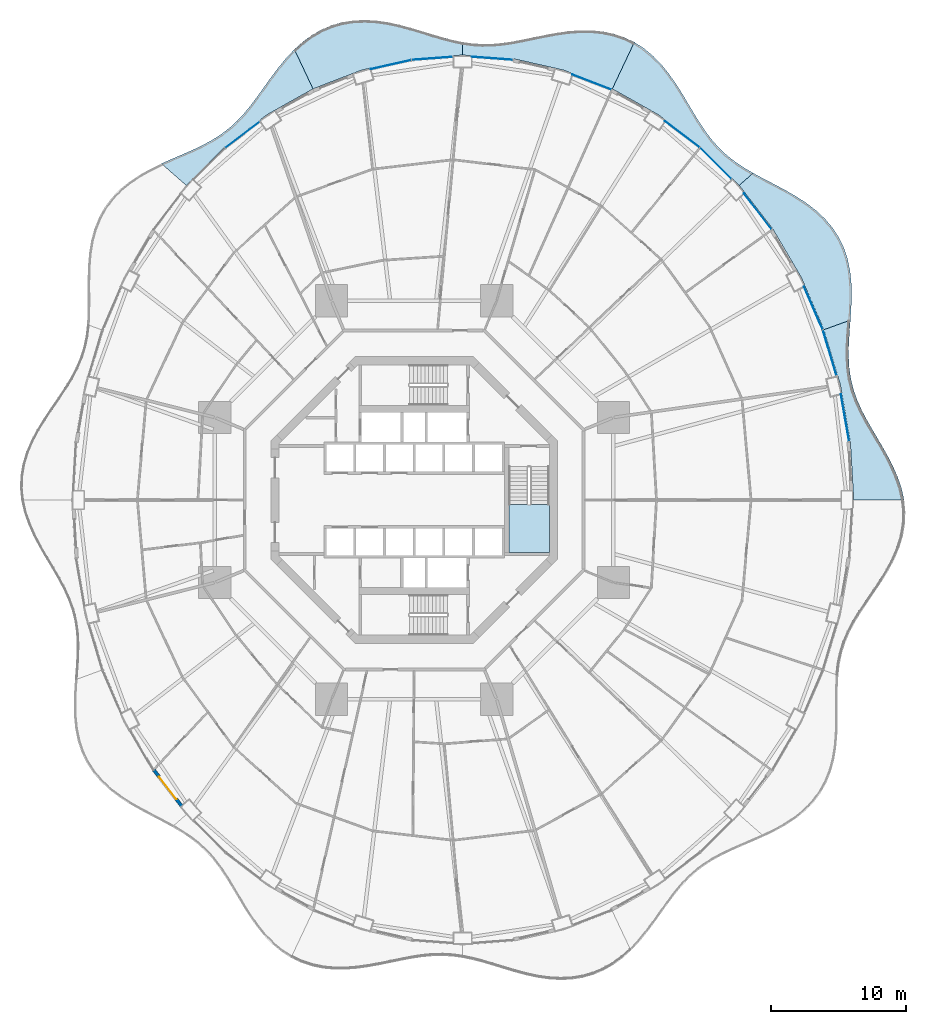
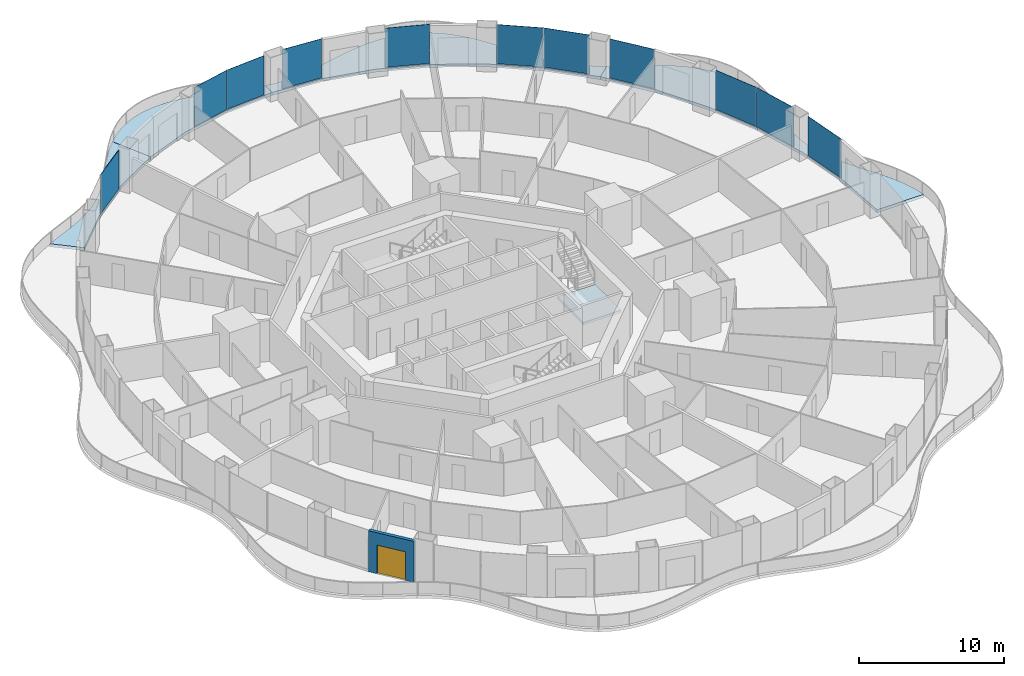
# One storey, part 13 of 23: 11 plates, 7 slabs, 1 door, 1 wall, 1 opening, 12 elements without a shape of their own.
"""IFC4 building model written with IfcOpenShell, lengths in metres."""

from ifc_helpers import new_model, si_unit, direction, frame, frame_2d, origin, origin_2d, place, context, subcontext, project, spatial, polyline, rectangle, outline, extrude, material, layer, layer_set, type_object, element, fill, aggregate, save


model = new_model("IFC4")

# Units and contexts
model_context = context("Model", 3, precision=1e-05, world=origin(), true_north=direction((0.0, 1.0)))
body_context = subcontext(model_context, "Body", "Model", "MODEL_VIEW")
ifc_project = project(units=[si_unit("LENGTHUNIT", "METRE"), si_unit("AREAUNIT", "SQUARE_METRE"), si_unit("VOLUMEUNIT", "CUBIC_METRE"), si_unit("PLANEANGLEUNIT", "RADIAN"), si_unit("MASSUNIT", "GRAM", prefix="KILO")], contexts=[model_context])

# Site, building, storey
site_placement = place(None, origin())
site = spatial("IfcSite", under=ifc_project, at=site_placement, CompositionType="ELEMENT")
building_placement = place(site_placement, origin())
building = spatial("IfcBuilding", under=site, at=building_placement, Name="Nagisa Residences", CompositionType="ELEMENT")
storey_placement = place(building_placement, frame((0.0, 0.0, 56.60009765625)))
storey = spatial("IfcBuildingStorey", under=building, at=storey_placement, Name="L13", CompositionType="ELEMENT", Elevation=56.60009765625)

# Slabs
ifc_material_1 = material(Name="Concrete C40/50", Category="concrete")
ifc_layer_1 = layer(ifc_material_1, 0.25)
ifc_layer_set_1 = layer_set([ifc_layer_1], Name="BALCONY SLAB 250")
slab_type_1 = type_object("IfcSlabType", Name="BALCONY SLAB 250", PredefinedType="FLOOR", material=ifc_layer_set_1)
slab_1_placement = place(storey_placement, frame((0.0, 0.0, -0.25)))
element("IfcSlab", 1, at=slab_1_placement, inside=storey, type_object=slab_type_1, Name="slab:L13:bal00", PredefinedType="FLOOR", context=body_context, shape_type="SweptSolid", body=[
    extrude(outline(polyline([(36.3408203125, 0.0), (36.140625, 0.88134765625), (35.84130859375, 1.750732421875), (35.461669921875, 2.603759765625), (35.024658203125, 3.43798828125), (34.555908203125, 4.2529296875), (34.081298828125, 5.051025390625), (33.626953125, 5.836181640625), (33.215087890625, 6.614013671875), (32.864013671875, 7.39208984375), (32.58642578125, 8.177490234375), (32.388671875, 8.977783203125), (32.27001953125, 9.798828125), (32.22314453125, 10.6455078125), (32.234619140625, 11.519287109375), (32.28564453125, 12.419677734375), (32.353515625, 13.342529296875), (30.392578125, 12.628662109375), (31.61181640625, 8.541015625), (32.351806640625, 4.307373046875), (32.60009765625, 0.0), (36.3408203125, 0.0)])), origin(), (0.0, 0.0, 1.0), 0.25),
])
slab_2_placement = place(storey_placement, frame((0.0, 0.0, -0.25)))
element("IfcSlab", 2, at=slab_2_placement, inside=storey, type_object=slab_type_1, Name="slab:L13:bal01", PredefinedType="FLOOR", context=body_context, shape_type="SweptSolid", body=[
    extrude(outline(polyline([(32.353515625, 13.342529296875), (32.412841796875, 14.251953125), (32.442138671875, 15.167724609375), (32.419921875, 16.07958984375), (32.32763671875, 16.976318359375), (32.149658203125, 17.845947265625), (31.875732421875, 18.677734375), (31.5009765625, 19.461669921875), (31.026123046875, 20.19091796875), (30.45703125, 20.860595703125), (29.80517578125, 21.469970703125), (29.08544921875, 22.021728515625), (28.31640625, 22.522216796875), (27.517822265625, 22.981201171875), (26.7099609375, 23.4111328125), (25.911865234375, 23.82666015625), (25.140380859375, 24.243408203125), (24.106201171875, 23.33447265625), (26.607177734375, 20.089111328125), (28.71484375, 16.5), (30.392578125, 12.628662109375), (32.353515625, 13.342529296875)])), origin(), (0.0, 0.0, 1.0), 0.25),
])
slab_3_placement = place(storey_placement, frame((0.0, 0.0, -0.25)))
element("IfcSlab", 3, at=slab_3_placement, inside=storey, type_object=slab_type_1, Name="slab:L13:bal02", PredefinedType="FLOOR", context=body_context, shape_type="SweptSolid", body=[
    extrude(outline(polyline([(25.140380859375, 24.243408203125), (24.44189453125, 24.65576171875), (23.78759765625, 25.095703125), (23.181396484375, 25.573486328125), (22.623291015625, 26.0966796875), (22.109375, 26.669921875), (21.632080078125, 27.293212890625), (21.181396484375, 27.963134765625), (20.744873046875, 28.672119140625), (20.308837890625, 29.408447265625), (19.85986328125, 30.158203125), (19.385498046875, 30.904052734375), (18.8740234375, 31.6279296875), (18.31689453125, 32.31103515625), (17.70849609375, 32.93603515625), (17.0458984375, 33.48681640625), (16.330078125, 33.95068359375), (14.69775390625, 30.488037109375), (18.10009765625, 28.578857421875), (21.254150390625, 26.1806640625), (24.106201171875, 23.33447265625), (25.140380859375, 24.243408203125)])), origin(), (0.0, 0.0, 1.0), 0.25),
])
slab_4_placement = place(storey_placement, frame((0.0, 0.0, -0.25)))
element("IfcSlab", 4, at=slab_4_placement, inside=storey, type_object=slab_type_1, Name="slab:L13:bal03", PredefinedType="FLOOR", context=body_context, shape_type="SweptSolid", body=[
    extrude(outline(polyline([(16.330078125, 33.95068359375), (15.5927734375, 34.307373046875), (14.8154296875, 34.571044921875), (14.005126953125, 34.7421875), (13.170654296875, 34.824951171875), (12.321533203125, 34.828125), (11.467041015625, 34.763671875), (10.615478515625, 34.64697265625), (9.77392578125, 34.4951171875), (8.947509765625, 34.326171875), (8.1396484375, 34.158935546875), (7.351318359375, 34.010498046875), (6.5810546875, 33.895751953125), (5.825927734375, 33.8271484375), (5.081298828125, 33.81298828125), (4.34130859375, 33.857177734375), (3.60009765625, 33.959228515625), (3.60009765625, 33.0), (7.38525390625, 32.7177734375), (11.105712890625, 31.87548828125), (14.69775390625, 30.488037109375), (16.330078125, 33.95068359375)])), origin(), (0.0, 0.0, 1.0), 0.25),
])
slab_5_placement = place(storey_placement, frame((0.0, 0.0, -0.25)))
element("IfcSlab", 5, at=slab_5_placement, inside=storey, type_object=slab_type_1, Name="slab:L13:bal04", PredefinedType="FLOOR", context=body_context, shape_type="SweptSolid", body=[
    extrude(outline(polyline([(3.60009765625, 33.959228515625), (2.8515625, 34.1142578125), (2.090576171875, 34.313232421875), (1.3134765625, 34.542724609375), (0.518310546875, 34.787109375), (-0.295166015625, 35.028564453125), (-1.124755859375, 35.248046875), (-1.96630859375, 35.427490234375), (-2.813720703125, 35.548828125), (-3.65966796875, 35.59765625), (-4.49560546875, 35.56201171875), (-5.31298828125, 35.433349609375), (-6.103271484375, 35.208251953125), (-6.859619140625, 34.886962890625), (-7.575927734375, 34.474609375), (-8.2490234375, 33.97998046875), (-8.87744140625, 33.4150390625), (-7.497802734375, 30.488037109375), (-3.90576171875, 31.87548828125), (-0.185302734375, 32.7177734375), (3.60009765625, 33.0), (3.60009765625, 33.959228515625)])), origin(), (0.0, 0.0, 1.0), 0.25),
])
slab_6_placement = place(storey_placement, frame((0.0, 0.0, -0.25)))
element("IfcSlab", 6, at=slab_6_placement, inside=storey, type_object=slab_type_1, Name="slab:L13:bal05", PredefinedType="FLOOR", context=body_context, shape_type="SweptSolid", body=[
    extrude(outline(polyline([(-8.87744140625, 33.4150390625), (-9.484375, 32.77099609375), (-10.0498046875, 32.0859375), (-10.581298828125, 31.37939453125), (-11.089111328125, 30.67041015625), (-11.584716796875, 29.9765625), (-12.080322265625, 29.312744140625), (-12.5888671875, 28.690673828125), (-13.12158203125, 28.118408203125), (-13.68798828125, 27.598876953125), (-14.29541015625, 27.1318359375), (-14.947021484375, 26.7119140625), (-15.64306640625, 26.331298828125), (-16.3798828125, 25.97802734375), (-17.1494140625, 25.639404296875), (-17.941162109375, 25.300537109375), (-18.7412109375, 24.947021484375), (-16.906005859375, 23.33447265625), (-14.05419921875, 26.1806640625), (-10.89990234375, 28.578857421875), (-7.497802734375, 30.488037109375), (-8.87744140625, 33.4150390625)])), origin(), (0.0, 0.0, 1.0), 0.25),
])

# Curtain wall, plate
ifc_material_2 = material(Name="Concrete-coloured aluminium curtain wall system", Category="concrete")
ifc_layer_2 = layer(ifc_material_2, 0.159912109375)
ifc_layer_set_2 = layer_set([ifc_layer_2], Name="CW1 CURTAIN WALL")
curtain_wall_type = type_object("IfcCurtainWallType", Name="CW1 CURTAIN WALL", PredefinedType="NOTDEFINED", material=ifc_layer_set_2)
curtain_wall_1_placement = place(storey_placement, origin())
curtain_wall_1 = element("IfcCurtainWall", 7, at=curtain_wall_1_placement, inside=storey, type_object=curtain_wall_type, Name="cw:CW1:L13:01", PredefinedType="NOTDEFINED")
ifc_material_3 = material(Name="Clear laminated glass", Category="glass")
ifc_layer_3 = layer(ifc_material_3, 0.028076171875)
ifc_layer_set_3 = layer_set([ifc_layer_3], Name="CW1 GLASS PANEL")
plate_type = type_object("IfcPlateType", Name="CW1 GLASS PANEL", PredefinedType="CURTAIN_PANEL", material=ifc_layer_set_3)
plate_1_placement = place(storey_placement, frame((31.958251953125, 6.09521484375, 0.14990234375), z_axis=(0.0, 0.0, 1.0), x_axis=(-0.172190868898, 0.985063604377, 0.0)))
plate_1 = element("IfcPlate", 8, at=plate_1_placement, type_object=plate_type, Name="CW1 panel", PredefinedType="CURTAIN_PANEL", context=body_context, shape_type="SweptSolid", body=[
    extrude(rectangle(XDim=3.537841796875, YDim=0.028076171875, at=origin_2d()), origin(), (0.0, 0.0, 1.0), 3.2900390625),
])
aggregate(curtain_wall_1, [plate_1])

curtain_wall_2_placement = place(storey_placement, origin())
curtain_wall_2 = element("IfcCurtainWall", 9, at=curtain_wall_2_placement, inside=storey, type_object=curtain_wall_type, Name="cw:CW1:L13:02", PredefinedType="NOTDEFINED")
plate_2_placement = place(storey_placement, frame((30.81689453125, 10.926025390625, 0.14990234375), z_axis=(0.0, 0.0, 1.0), x_axis=(-0.285860274038, 0.958271310082, 0.0)))
plate_2 = element("IfcPlate", 10, at=plate_2_placement, type_object=plate_type, Name="CW1 panel", PredefinedType="CURTAIN_PANEL", context=body_context, shape_type="SweptSolid", body=[
    extrude(rectangle(XDim=3.505615234375, YDim=0.028076171875, at=origin_2d()), origin(), (0.0, 0.0, 1.0), 3.2900390625),
])
aggregate(curtain_wall_2, [plate_2])

curtain_wall_3_placement = place(storey_placement, origin())
curtain_wall_3 = element("IfcCurtainWall", 11, at=curtain_wall_3_placement, inside=storey, type_object=curtain_wall_type, Name="cw:CW1:L13:03", PredefinedType="NOTDEFINED")
plate_3_placement = place(storey_placement, frame((29.607421875, 14.23876953125, 0.14990234375), z_axis=(0.0, 0.0, 1.0), x_axis=(-0.397635934147, 0.917543276295, 0.0)))
plate_3 = element("IfcPlate", 12, at=plate_3_placement, type_object=plate_type, Name="CW1 panel", PredefinedType="CURTAIN_PANEL", context=body_context, shape_type="SweptSolid", body=[
    extrude(rectangle(XDim=3.45947265625, YDim=0.028076171875, at=origin_2d()), origin(), (0.0, 0.0, 1.0), 3.2900390625),
])
aggregate(curtain_wall_3, [plate_3])

curtain_wall_4_placement = place(storey_placement, origin())
curtain_wall_4 = element("IfcCurtainWall", 13, at=curtain_wall_4_placement, inside=storey, type_object=curtain_wall_type, Name="cw:CW1:L13:05", PredefinedType="NOTDEFINED")
plate_4_placement = place(storey_placement, frame((25.488525390625, 21.409423828125, 0.14990234375), z_axis=(0.0, 0.0, 1.0), x_axis=(-0.610429828235, 0.792070340816, 0.0)))
plate_4 = element("IfcPlate", 14, at=plate_4_placement, type_object=plate_type, Name="CW1 panel", PredefinedType="CURTAIN_PANEL", context=body_context, shape_type="SweptSolid", body=[
    extrude(rectangle(XDim=3.33740234375, YDim=0.028076171875, at=origin_2d()), origin(), (0.0, 0.0, 1.0), 3.2900390625),
])
aggregate(curtain_wall_4, [plate_4])

curtain_wall_5_placement = place(storey_placement, origin())
curtain_wall_5 = element("IfcCurtainWall", 15, at=curtain_wall_5_placement, inside=storey, type_object=curtain_wall_type, Name="cw:CW1:L13:06", PredefinedType="NOTDEFINED")
plate_5_placement = place(storey_placement, frame((22.3544921875, 24.969482421875, 0.14990234375), z_axis=(0.0, 0.0, 1.0), x_axis=(-0.707835924016, 0.706376885714, 0.0)))
plate_5 = element("IfcPlate", 16, at=plate_5_placement, type_object=plate_type, Name="CW1 panel", PredefinedType="CURTAIN_PANEL", context=body_context, shape_type="SweptSolid", body=[
    extrude(rectangle(XDim=3.269287109375, YDim=0.028076171875, at=origin_2d()), origin(), (0.0, 0.0, 1.0), 3.2900390625),
])
aggregate(curtain_wall_5, [plate_5])

curtain_wall_6_placement = place(storey_placement, origin())
curtain_wall_6 = element("IfcCurtainWall", 17, at=curtain_wall_6_placement, inside=storey, type_object=curtain_wall_type, Name="cw:CW1:L13:07", PredefinedType="NOTDEFINED")
plate_6_placement = place(storey_placement, frame((19.88330078125, 27.122314453125, 0.14990234375), z_axis=(0.0, 0.0, 1.0), x_axis=(-0.79603132756, 0.605255421737, 0.0)))
plate_6 = element("IfcPlate", 18, at=plate_6_placement, type_object=plate_type, Name="CW1 panel", PredefinedType="CURTAIN_PANEL", context=body_context, shape_type="SweptSolid", body=[
    extrude(rectangle(XDim=3.2021484375, YDim=0.028076171875, at=origin_2d()), origin(), (0.0, 0.0, 1.0), 3.2900390625),
])
aggregate(curtain_wall_6, [plate_6])

curtain_wall_7_placement = place(storey_placement, origin())
curtain_wall_7 = element("IfcCurtainWall", 19, at=curtain_wall_7_placement, inside=storey, type_object=curtain_wall_type, Name="cw:CW1:L13:09", PredefinedType="NOTDEFINED")
plate_7_placement = place(storey_placement, frame((13.17138671875, 30.991943359375, 0.14990234375), z_axis=(0.0, 0.0, 1.0), x_axis=(-0.932825759707, 0.360327770268, 0.0)))
plate_7 = element("IfcPlate", 20, at=plate_7_placement, type_object=plate_type, Name="CW1 panel", PredefinedType="CURTAIN_PANEL", context=body_context, shape_type="SweptSolid", body=[
    extrude(rectangle(XDim=3.0908203125, YDim=0.028076171875, at=origin_2d()), origin(), (0.0, 0.0, 1.0), 3.2900390625),
])
aggregate(curtain_wall_7, [plate_7])

curtain_wall_8_placement = place(storey_placement, origin())
curtain_wall_8 = element("IfcCurtainWall", 21, at=curtain_wall_8_placement, inside=storey, type_object=curtain_wall_type, Name="cw:CW1:L13:11", PredefinedType="NOTDEFINED")
plate_8_placement = place(storey_placement, frame((5.805908203125, 32.75537109375, 0.14990234375), z_axis=(0.0, 0.0, 1.0), x_axis=(-0.997230168512, 0.074377355493, 0.0)))
plate_8 = element("IfcPlate", 22, at=plate_8_placement, type_object=plate_type, Name="CW1 panel", PredefinedType="CURTAIN_PANEL", context=body_context, shape_type="SweptSolid", body=[
    extrude(rectangle(XDim=3.035888671875, YDim=0.028076171875, at=origin_2d()), origin(), (0.0, 0.0, 1.0), 3.2900390625),
])
aggregate(curtain_wall_8, [plate_8])

curtain_wall_9_placement = place(storey_placement, origin())
curtain_wall_9 = element("IfcCurtainWall", 23, at=curtain_wall_9_placement, inside=storey, type_object=curtain_wall_type, Name="cw:CW1:L13:12", PredefinedType="NOTDEFINED")
plate_9_placement = place(storey_placement, frame((1.33447265625, 32.750732421875, 0.14990234375), z_axis=(0.0, 0.0, 1.0), x_axis=(-0.997230168512, -0.074377355493, 0.0)))
plate_9 = element("IfcPlate", 24, at=plate_9_placement, type_object=plate_type, Name="CW1 panel", PredefinedType="CURTAIN_PANEL", context=body_context, shape_type="SweptSolid", body=[
    extrude(rectangle(XDim=3.035888671875, YDim=0.028076171875, at=origin_2d()), origin(), (0.0, 0.0, 1.0), 3.2900390625),
])
aggregate(curtain_wall_9, [plate_9])

curtain_wall_10_placement = place(storey_placement, origin())
curtain_wall_10 = element("IfcCurtainWall", 25, at=curtain_wall_10_placement, inside=storey, type_object=curtain_wall_type, Name="cw:CW1:L13:13", PredefinedType="NOTDEFINED")
plate_10_placement = place(storey_placement, frame((-1.7158203125, 32.289306640625, 0.14990234375), z_axis=(0.0, 0.0, 1.0), x_axis=(-0.975327274089, -0.2207639201, 0.0)))
plate_10 = element("IfcPlate", 26, at=plate_10_placement, type_object=plate_type, Name="CW1 panel", PredefinedType="CURTAIN_PANEL", context=body_context, shape_type="SweptSolid", body=[
    extrude(rectangle(XDim=3.0546875, YDim=0.028076171875, at=origin_2d()), origin(), (0.0, 0.0, 1.0), 3.2900390625),
])
aggregate(curtain_wall_10, [plate_10])

curtain_wall_11_placement = place(storey_placement, origin())
curtain_wall_11 = element("IfcCurtainWall", 27, at=curtain_wall_11_placement, inside=storey, type_object=curtain_wall_type, Name="cw:CW1:L13:16", PredefinedType="NOTDEFINED")
plate_11_placement = place(storey_placement, frame((-12.731201171875, 27.086181640625, 0.14990234375), z_axis=(0.0, 0.0, 1.0), x_axis=(-0.79603132756, -0.605255421737, 0.0)))
plate_11 = element("IfcPlate", 28, at=plate_11_placement, type_object=plate_type, Name="CW1 panel", PredefinedType="CURTAIN_PANEL", context=body_context, shape_type="SweptSolid", body=[
    extrude(rectangle(XDim=3.2021484375, YDim=0.028076171875, at=origin_2d()), origin(), (0.0, 0.0, 1.0), 3.2900390625),
])
aggregate(curtain_wall_11, [plate_11])

# Stair, slab
ifc_material_4 = material(Name="Concrete C60", Category="concrete")
stair_type = type_object("IfcStairType", Name="Exit stair", PredefinedType="HALF_TURN_STAIR", material=ifc_material_4)
stair_placement = place(storey_placement, origin())
stair = element("IfcStair", 29, at=stair_placement, inside=storey, type_object=stair_type, Name="L13 Exit stair E", PredefinedType="HALF_TURN_STAIR")
ifc_material_5 = material(Name="Concrete C60", Category="concrete")
ifc_layer_4 = layer(ifc_material_5, 0.199951171875)
ifc_layer_set_4 = layer_set([ifc_layer_4], Name="Stair landing")
slab_type_2 = type_object("IfcSlabType", Name="Stair landing", PredefinedType="LANDING", material=ifc_layer_set_4)
slab_7_placement = place(storey_placement, frame((0.0, 0.0, 1.64990234375)))
slab_7 = element("IfcSlab", 30, at=slab_7_placement, type_object=slab_type_2, Name="ST-E landing 1", PredefinedType="LANDING", context=body_context, shape_type="SweptSolid", body=[
    extrude(outline(polyline([(7.024658203125, -0.324951171875), (7.024658203125, -3.89990234375), (10.024658203125, -3.89990234375), (10.024658203125, -0.324951171875), (7.024658203125, -0.324951171875)])), origin(), (0.0, 0.0, 1.0), 0.199951171875),
])
aggregate(stair, [slab_7])

# Wall, opening, door
ifc_material_6 = material(Name="Precast concrete C40/50", Category="concrete")
ifc_layer_5 = layer(ifc_material_6, 0.25)
ifc_layer_set_5 = layer_set([ifc_layer_5], Name="BALCONY DOOR WALL 250")
wall_type = type_object("IfcWallType", Name="BALCONY DOOR WALL 250", PredefinedType="SOLIDWALL", material=ifc_layer_set_5)
wall_placement = place(storey_placement, frame((-17.234375, -22.703857421875, 0.0), z_axis=(0.0, 0.0, 1.0), x_axis=(-0.610457147657, 0.792049285635, 0.0)))
wall = element("IfcWall", 31, at=wall_placement, inside=storey, type_object=wall_type, Name="wall:L13:bay29", PredefinedType="SOLIDWALL", context=body_context, shape_type="SweptSolid", body=[
    extrude(rectangle(XDim=3.3974609375, YDim=0.25, at=frame_2d((1.69873046875, 0.0))), origin(), (0.0, 0.0, 1.0), 3.43994140625),
])
opening_placement = place(wall_placement, frame((0.648681640625, 0.0, 0.0)))
opening = element("IfcOpeningElement", 32, at=opening_placement, cuts=wall, Name="Opening BD-L13-10", PredefinedType="OPENING", context=body_context, shape_type="SweptSolid", body=[
    extrude(rectangle(XDim=2.10009765625, YDim=2.39990234375, at=frame_2d((1.050048828125, 1.199951171875))), frame((0.0, 0.135009765625, 0.0), z_axis=(0.0, -1.0, 0.0), x_axis=(1.0, 0.0, 0.0)), (0.0, 0.0, 1.0), 0.27001953125),
])
ifc_material_7 = material(Name="Aluminium and clear glass", Category="aluminium")
door_type = type_object("IfcDoorType", Name="BALCONY SLIDING DOOR 2100x2400", OperationType="SLIDING_TO_LEFT", PredefinedType="DOOR", material=ifc_material_7)
door_placement = place(opening_placement, origin())
door = element("IfcDoor", 33, at=door_placement, inside=storey, type_object=door_type, Name="door:L13:bay29", OperationType="SLIDING_TO_LEFT", OverallHeight=2.39990234375, OverallWidth=2.10009765625, PredefinedType="DOOR", context=body_context, shape_type="SweptSolid", body=[
    extrude(rectangle(XDim=2.10009765625, YDim=2.39990234375, at=frame_2d((1.050048828125, 1.199951171875))), frame((0.0, 0.02490234375, 0.0), z_axis=(0.0, -1.0, 0.0), x_axis=(1.0, 0.0, 0.0)), (0.0, 0.0, 1.0), 0.050048828125),
])
fill(opening, door)

save(model, "model.ifc")
